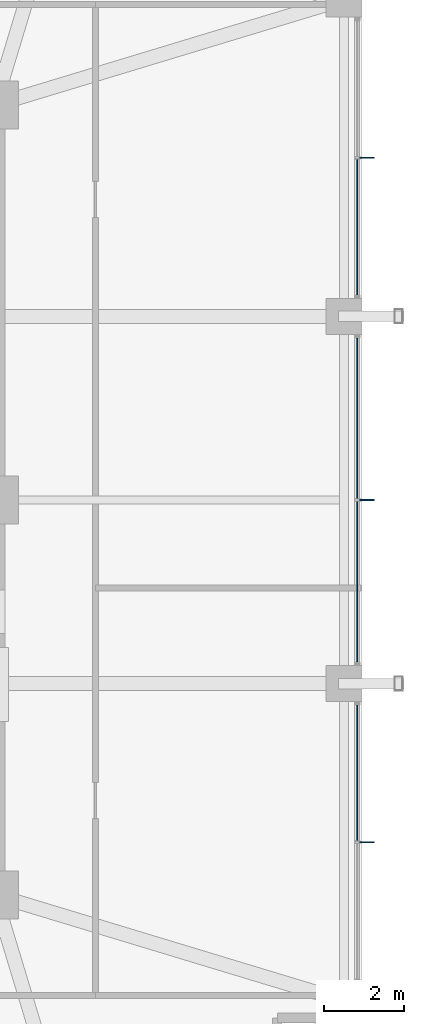
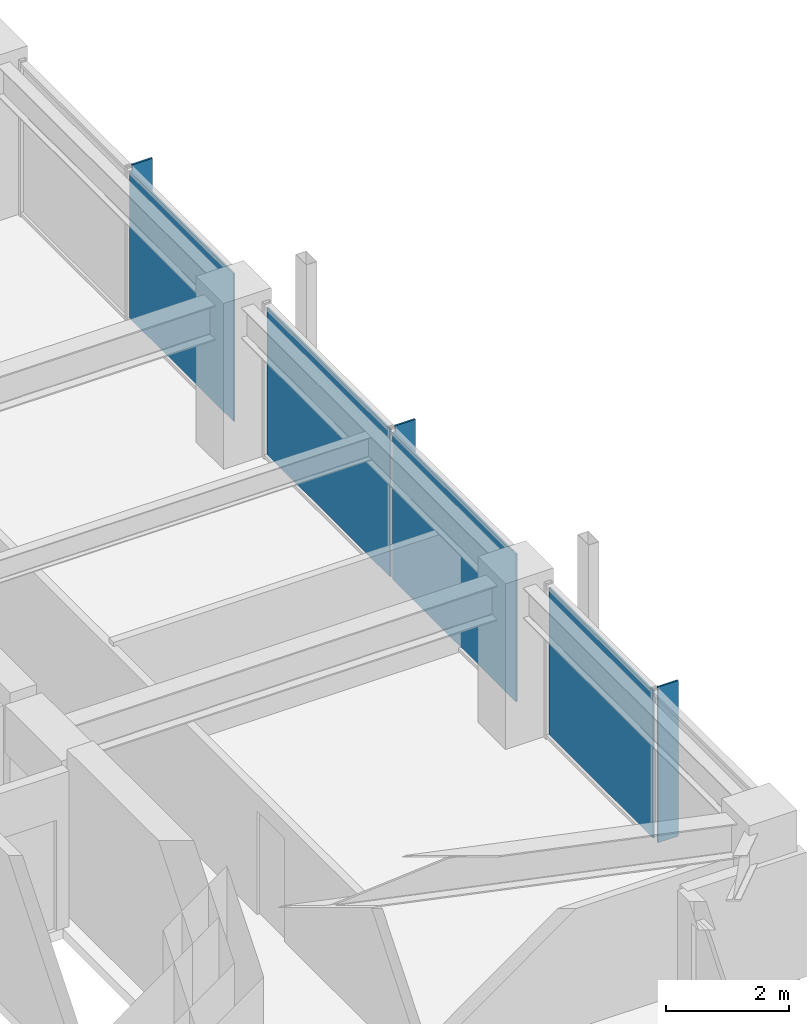
# One storey, part 24 of 32: 7 plates, 3 elements without a shape of their own.
"""IFC4 building model written with IfcOpenShell, lengths in metres."""

from ifc_helpers import new_model, si_unit, direction, frame, origin, origin_2d, place, context, subcontext, project, spatial, rectangle, extrude, material, layer, layer_set, type_object, element, aggregate, save


model = new_model("IFC4")

# Units and contexts
model_context = context("Model", 3, precision=1e-05, world=origin(), true_north=direction((0.0, 1.0)))
body_context = subcontext(model_context, "Body", "Model", "MODEL_VIEW")
ifc_project = project(units=[si_unit("LENGTHUNIT", "METRE"), si_unit("AREAUNIT", "SQUARE_METRE"), si_unit("VOLUMEUNIT", "CUBIC_METRE"), si_unit("PLANEANGLEUNIT", "RADIAN"), si_unit("MASSUNIT", "GRAM", prefix="KILO")], contexts=[model_context])

# Site, building, storey
site_placement = place(None, origin())
site = spatial("IfcSite", under=ifc_project, at=site_placement, CompositionType="ELEMENT")
building_placement = place(site_placement, origin())
building = spatial("IfcBuilding", under=site, at=building_placement, Name="Kolvaren Belvedere", CompositionType="ELEMENT")
storey_placement = place(building_placement, frame((0.0, 0.0, 160.199951171875)))
storey = spatial("IfcBuildingStorey", under=building, at=storey_placement, Name="L46", CompositionType="ELEMENT", Elevation=160.199951171875)

# Curtain wall, plate
ifc_material_1 = material(Name="Anodised pale-metal aluminium AA 6063-T6", Category="aluminium")
curtain_wall_type = type_object("IfcCurtainWallType", Name="CW-Z3-WAIST", PredefinedType="NOTDEFINED", material=ifc_material_1)
curtain_wall_1_placement = place(storey_placement, origin())
curtain_wall_1 = element("IfcCurtainWall", 1, at=curtain_wall_1_placement, inside=storey, type_object=curtain_wall_type, Name="L46 Unitised Curtain Wall FCW-L46-E-B1", PredefinedType="NOTDEFINED")
ifc_material_2 = material(Name="Low-iron triple insulated glass", Category="glass")
ifc_layer_1 = layer(ifc_material_2, 0.028076171875)
ifc_layer_set_1 = layer_set([ifc_layer_1], Name="Low-iron triple insulated glass")
plate_type_1 = type_object("IfcPlateType", Name="CW-PNL-VIS28", PredefinedType="CURTAIN_PANEL", material=ifc_layer_set_1)
plate_1_placement = place(storey_placement, frame((18.97998046875, 6.8388671875, 0.080078125), z_axis=(0.0, 0.0, 1.0), x_axis=(0.0, -1.0, 0.0)))
plate_1 = element("IfcPlate", 2, at=plate_1_placement, type_object=plate_type_1, Name="FCW-L46-E-B1 Vision Glazing Panel 2", PredefinedType="CURTAIN_PANEL", context=body_context, shape_type="SweptSolid", body=[
    extrude(rectangle(XDim=3.392578125, YDim=0.028076171875, at=origin_2d()), origin(), (0.0, 0.0, 1.0), 2.93994140625),
])
aggregate(curtain_wall_1, [plate_1])

# Curtain wall, plates
curtain_wall_2_placement = place(storey_placement, origin())
curtain_wall_2 = element("IfcCurtainWall", 3, at=curtain_wall_2_placement, inside=storey, type_object=curtain_wall_type, Name="L46 Unitised Curtain Wall FCW-L46-E-B2", PredefinedType="NOTDEFINED")
plate_2_placement = place(storey_placement, frame((18.97998046875, 2.048828125, 0.080078125), z_axis=(0.0, 0.0, 1.0), x_axis=(0.0, -1.0, 0.0)))
plate_2 = element("IfcPlate", 4, at=plate_2_placement, type_object=plate_type_1, Name="FCW-L46-E-B2 Vision Glazing Panel 1", PredefinedType="CURTAIN_PANEL", context=body_context, shape_type="SweptSolid", body=[
    extrude(rectangle(XDim=4.017578125, YDim=0.028076171875, at=origin_2d()), origin(), (0.0, 0.0, 1.0), 2.93994140625),
])
plate_3_placement = place(storey_placement, frame((18.97998046875, -2.048828125, 0.080078125), z_axis=(0.0, 0.0, 1.0), x_axis=(0.0, -1.0, 0.0)))
plate_3 = element("IfcPlate", 5, at=plate_3_placement, type_object=plate_type_1, Name="FCW-L46-E-B2 Vision Glazing Panel 2", PredefinedType="CURTAIN_PANEL", context=body_context, shape_type="SweptSolid", body=[
    extrude(rectangle(XDim=4.017578125, YDim=0.028076171875, at=origin_2d()), origin(), (0.0, 0.0, 1.0), 2.93994140625),
])
aggregate(curtain_wall_2, [plate_2, plate_3])

# Curtain wall, plate
curtain_wall_3_placement = place(storey_placement, origin())
curtain_wall_3 = element("IfcCurtainWall", 6, at=curtain_wall_3_placement, inside=storey, type_object=curtain_wall_type, Name="L46 Unitised Curtain Wall FCW-L46-E-B3", PredefinedType="NOTDEFINED")
plate_4_placement = place(storey_placement, frame((18.97998046875, -6.8388671875, 0.080078125), z_axis=(0.0, 0.0, 1.0), x_axis=(0.0, -1.0, 0.0)))
plate_4 = element("IfcPlate", 7, at=plate_4_placement, type_object=plate_type_1, Name="FCW-L46-E-B3 Vision Glazing Panel 1", PredefinedType="CURTAIN_PANEL", context=body_context, shape_type="SweptSolid", body=[
    extrude(rectangle(XDim=3.392578125, YDim=0.028076171875, at=origin_2d()), origin(), (0.0, 0.0, 1.0), 2.93994140625),
])
aggregate(curtain_wall_3, [plate_4])

# Plates
ifc_material_3 = material(Name="Anodised pale-metal aluminium AA 6063-T6", Category="aluminium")
ifc_layer_2 = layer(ifc_material_3, 0.033935546875)
ifc_layer_set_2 = layer_set([ifc_layer_2], Name="Anodised pale-metal aluminium AA 6063-T6")
plate_type_2 = type_object("IfcPlateType", Name="FIN-VERT-380", PredefinedType="USERDEFINED", material=ifc_layer_set_2)
for number, where, z_axis, x_axis, name in (
    (8, (19.219970703125, 8.574951171875, 0.0), (0.0, 0.0, 1.0), (1.0, 0.0, 0.0), "L46 Pale-Metal Vertical Shading Fin FCW-L46-E-B1-1"),
    (9, (19.219970703125, 0.0, 0.0), (0.0, 0.0, 1.0), (1.0, 0.0, 0.0), "L46 Pale-Metal Vertical Shading Fin FCW-L46-E-B2-1"),
    (10, (19.219970703125, -8.574951171875, 0.0), (0.0, 0.0, 1.0), (1.0, 0.0, 0.0), "L46 Pale-Metal Vertical Shading Fin FCW-L46-E-B3-1"),
):
    element("IfcPlate", number, at=place(storey_placement, frame(where, z_axis=z_axis, x_axis=x_axis)), inside=storey, type_object=plate_type_2, Name=name, ObjectType="VERTICAL FIN", PredefinedType="USERDEFINED", context=body_context, shape_type="SweptSolid", body=[
        extrude(rectangle(XDim=0.3798828125, YDim=0.033935546875, at=origin_2d()), origin(), (0.0, 0.0, 1.0), 3.10009765625),
    ])

save(model, "model.ifc")
